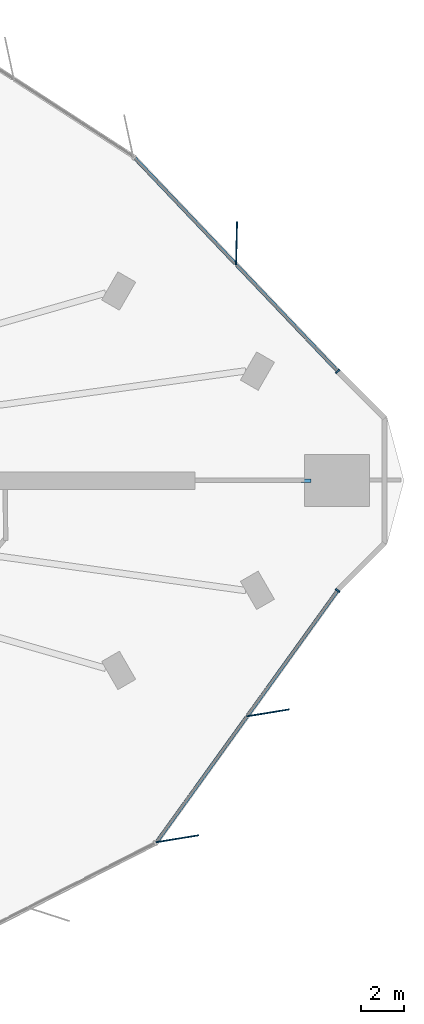
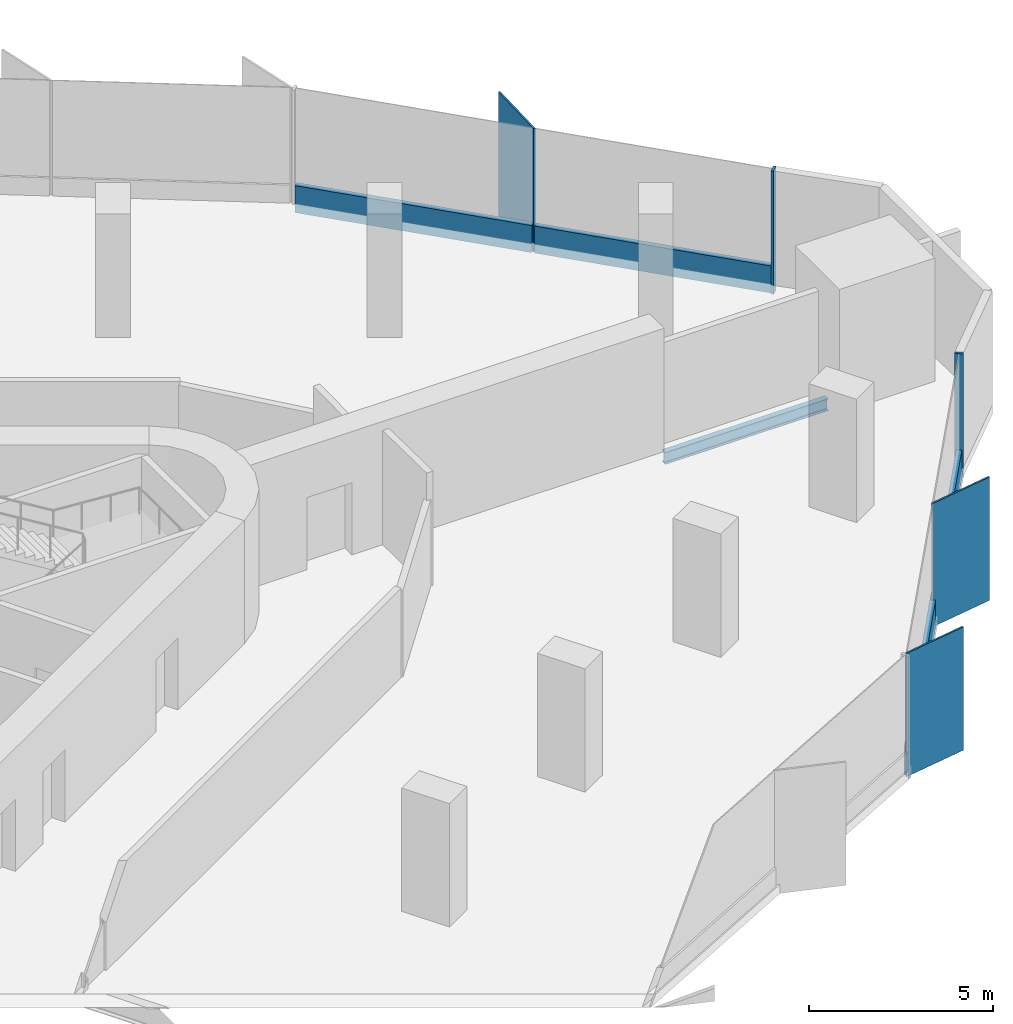
# One storey, part 6 of 14: 9 members, 1 beam, 2 elements without a shape of their own.
"""IFC4 building model written with IfcOpenShell, lengths in metres."""

from ifc_helpers import new_model, si_unit, direction, frame, origin, origin_2d, place, context, subcontext, project, spatial, rectangle, i_section, extrude, material, material_profile, profile_set, type_object, element, aggregate, save


model = new_model("IFC4")

# Units and contexts
model_context = context("Model", 3, precision=1e-05, world=origin(), true_north=direction((0.0, 1.0)))
body_context = subcontext(model_context, "Body", "Model", "MODEL_VIEW")
ifc_project = project(units=[si_unit("LENGTHUNIT", "METRE"), si_unit("AREAUNIT", "SQUARE_METRE"), si_unit("VOLUMEUNIT", "CUBIC_METRE"), si_unit("PLANEANGLEUNIT", "RADIAN"), si_unit("MASSUNIT", "GRAM", prefix="KILO")], contexts=[model_context])

# Site, building, storey
site_placement = place(None, origin())
site = spatial("IfcSite", under=ifc_project, at=site_placement, CompositionType="ELEMENT")
building_placement = place(site_placement, origin())
building = spatial("IfcBuilding", under=site, at=building_placement, Name="Tanit Gate Tower", CompositionType="ELEMENT")
storey_placement = place(building_placement, frame((0.0, 0.0, 107.0)))
storey = spatial("IfcBuildingStorey", under=building, at=storey_placement, Name="L22", CompositionType="ELEMENT", Elevation=107.0)

# Curtain wall, member
ifc_material_1 = material(Name="Aluminium bronze anodised and glass", Category="aluminium")
curtain_wall_type = type_object("IfcCurtainWallType", Name="Curtain wall typical low", PredefinedType="NOTDEFINED", material=ifc_material_1)
curtain_wall_1_placement = place(storey_placement, origin())
curtain_wall_1 = element("IfcCurtainWall", 1, at=curtain_wall_1_placement, inside=storey, type_object=curtain_wall_type, Name="Curtain wall L22 NE1", PredefinedType="NOTDEFINED")
ifc_material_2 = material(Name="Aluminium bronze anodised", Category="aluminium")
ifc_material_profile_1 = material_profile(ifc_material_2, rectangle(XDim=2.0, YDim=0.055908203125, at=origin_2d()), Name="56x2000 bronze fin mullion")
ifc_profile_set_1 = profile_set([ifc_material_profile_1], Name="Aluminium bronze anodised")
member_type_1 = type_object("IfcMemberType", Name="FIN MULLION 56x2000 bronze", PredefinedType="MULLION", material=ifc_profile_set_1)
member_1_placement = place(storey_placement, frame((36.09619140625, 10.9541015625, -0.300048828125), z_axis=(0.0, 0.0, 1.0), x_axis=(-0.024623071123, -0.999696806221, 0.0)))
member_1 = element("IfcMember", 2, at=member_1_placement, type_object=member_type_1, Name="Fin mullion L22 NE1.2", PredefinedType="MULLION", context=body_context, shape_type="SweptSolid", body=[
    extrude(rectangle(XDim=2.0, YDim=0.055908203125, at=origin_2d()), origin(), (0.0, 0.0, 1.0), 4.10009765625),
])

# Curtain wall, members
curtain_wall_2_placement = place(storey_placement, origin())
curtain_wall_2 = element("IfcCurtainWall", 3, at=curtain_wall_2_placement, inside=storey, type_object=curtain_wall_type, Name="Curtain wall L22 SE3", PredefinedType="NOTDEFINED")
member_2_placement = place(storey_placement, frame((33.36572265625, -16.519775390625, -0.300048828125), z_axis=(0.0, 0.0, 1.0), x_axis=(-0.986959384156, -0.160969481659, 0.0)))
member_2 = element("IfcMember", 4, at=member_2_placement, type_object=member_type_1, Name="Fin mullion L22 SE3.1", PredefinedType="MULLION", context=body_context, shape_type="SweptSolid", body=[
    extrude(rectangle(XDim=2.0, YDim=0.055908203125, at=origin_2d()), origin(), (0.0, 0.0, 1.0), 4.10009765625),
])
member_3_placement = place(storey_placement, frame((37.54541015625, -10.711181640625, -0.300048828125), z_axis=(0.0, 0.0, 1.0), x_axis=(-0.986959384156, -0.160969481659, 0.0)))
member_3 = element("IfcMember", 5, at=member_3_placement, type_object=member_type_1, Name="Fin mullion L22 SE3.2", PredefinedType="MULLION", context=body_context, shape_type="SweptSolid", body=[
    extrude(rectangle(XDim=2.0, YDim=0.055908203125, at=origin_2d()), origin(), (0.0, 0.0, 1.0), 4.10009765625),
])

# Member
ifc_material_3 = material(Name="Aluminium bronze anodised", Category="aluminium")
ifc_material_profile_2 = material_profile(ifc_material_3, rectangle(XDim=0.239990234375, YDim=0.080078125, at=origin_2d()), Name="80x240 bronze mullion")
ifc_profile_set_2 = profile_set([ifc_material_profile_2], Name="Aluminium bronze anodised")
member_type_2 = type_object("IfcMemberType", Name="Mullion 80x240 typical low", PredefinedType="MULLION", material=ifc_profile_set_2)
member_4_placement = place(storey_placement, frame((40.76220703125, 5.05029296875, -0.300048828125), z_axis=(0.0, 0.0, 1.0), x_axis=(-0.724303531374, -0.689481250245, 0.0)))
member_4 = element("IfcMember", 6, at=member_4_placement, type_object=member_type_2, Name="Mullion L22 NE1.1", PredefinedType="MULLION", context=body_context, shape_type="SweptSolid", body=[
    extrude(rectangle(XDim=0.239990234375, YDim=0.080078125, at=origin_2d()), origin(), (0.0, 0.0, 1.0), 4.10009765625),
])

member_5_placement = place(storey_placement, frame((40.760498046875, -5.059814453125, -0.300048828125), z_axis=(0.0, 0.0, 1.0), x_axis=(-0.811708285338, 0.584063061247, 0.0)))
member_5 = element("IfcMember", 7, at=member_5_placement, type_object=member_type_2, Name="Mullion L22 SE3.3", PredefinedType="MULLION", context=body_context, shape_type="SweptSolid", body=[
    extrude(rectangle(XDim=0.239990234375, YDim=0.080078125, at=origin_2d()), origin(), (0.0, 0.0, 1.0), 4.10009765625),
])

# Beam
ifc_material_4 = material(Name="Steel S355", Category="steel")
ifc_material_profile_3 = material_profile(ifc_material_4, i_section(OverallWidth=0.179931640625, OverallDepth=0.39990234375, WebThickness=0.008544921875, FlangeThickness=0.013427734375, FilletRadius=0.02099609375, at=origin_2d()), Name="IPE 400")
ifc_profile_set_3 = profile_set([ifc_material_profile_3], Name="Steel S355")
beam_type = type_object("IfcBeamType", Name="RADIAL GIRDER IPE 400 S355", PredefinedType="BEAM", material=ifc_profile_set_3)
beam_placement = place(storey_placement, frame((39.520751953125, 0.0, -0.5), z_axis=(-1.0, 0.0, 0.0), x_axis=(0.0, -1.0, 0.0)))
element("IfcBeam", 8, at=beam_placement, inside=storey, type_object=beam_type, Name="RADIAL GIRDER", PredefinedType="BEAM", context=body_context, shape_type="SweptSolid", body=[
    extrude(i_section(OverallWidth=0.179931640625, OverallDepth=0.39990234375, WebThickness=0.008544921875, FlangeThickness=0.013427734375, FilletRadius=0.02099609375, at=origin_2d()), origin(), (0.0, 0.0, 1.0), 5.1298828125),
])

# Member
ifc_material_5 = material(Name="Aluminium bronze anodised", Category="aluminium")
ifc_material_profile_4 = material_profile(ifc_material_5, rectangle(XDim=0.159912109375, YDim=0.89990234375, at=origin_2d()), Name="160x900 bronze transom")
ifc_profile_set_4 = profile_set([ifc_material_profile_4], Name="Aluminium bronze anodised")
member_type_3 = type_object("IfcMemberType", Name="Transom 160x900 typical low", PredefinedType="USERDEFINED", material=ifc_profile_set_4)
member_6_placement = place(storey_placement, frame((40.734619140625, 5.079345703125, 0.14990234375), z_axis=(-0.689477400789, 0.72430719574, 0.0), x_axis=(-0.72430719574, -0.689477400789, 0.0)))
member_6 = element("IfcMember", 9, at=member_6_placement, type_object=member_type_3, Name="Transom L22 NE1.1", ObjectType="TRANSOM", PredefinedType="USERDEFINED", context=body_context, shape_type="SweptSolid", body=[
    extrude(rectangle(XDim=0.159912109375, YDim=0.89990234375, at=origin_2d()), origin(), (0.0, 0.0, 1.0), 6.72216796875),
])

member_7_placement = place(storey_placement, frame((36.044677734375, 10.006103515625, 0.14990234375), z_axis=(-0.689495538455, 0.724289929829, 0.0), x_axis=(-0.724289929829, -0.689495538455, 0.0)))
member_7 = element("IfcMember", 10, at=member_7_placement, type_object=member_type_3, Name="Transom L22 NE1.2", ObjectType="TRANSOM", PredefinedType="USERDEFINED", context=body_context, shape_type="SweptSolid", body=[
    extrude(rectangle(XDim=0.159912109375, YDim=0.89990234375, at=origin_2d()), origin(), (0.0, 0.0, 1.0), 6.721923828125),
])

aggregate(curtain_wall_1, [member_4, member_1, member_6, member_7])

member_8_placement = place(storey_placement, frame((32.424560546875, -16.644775390625, 0.14990234375), z_axis=(0.584044751567, 0.811721459718, 0.0), x_axis=(-0.811721459718, 0.584044751567, 0.0)))
member_8 = element("IfcMember", 11, at=member_8_placement, type_object=member_type_3, Name="Transom L22 SE3.1", ObjectType="TRANSOM", PredefinedType="USERDEFINED", context=body_context, shape_type="SweptSolid", body=[
    extrude(rectangle(XDim=0.159912109375, YDim=0.89990234375, at=origin_2d()), origin(), (0.0, 0.0, 1.0), 7.076171875),
])

member_9_placement = place(storey_placement, frame((36.604248046875, -10.8359375, 0.14990234375), z_axis=(0.584061108529, 0.811709690409, 0.0), x_axis=(-0.811709690409, 0.584061108529, 0.0)))
member_9 = element("IfcMember", 12, at=member_9_placement, type_object=member_type_3, Name="Transom L22 SE3.2", ObjectType="TRANSOM", PredefinedType="USERDEFINED", context=body_context, shape_type="SweptSolid", body=[
    extrude(rectangle(XDim=0.159912109375, YDim=0.89990234375, at=origin_2d()), origin(), (0.0, 0.0, 1.0), 7.075927734375),
])

aggregate(curtain_wall_2, [member_2, member_3, member_5, member_8, member_9])

save(model, "model.ifc")
